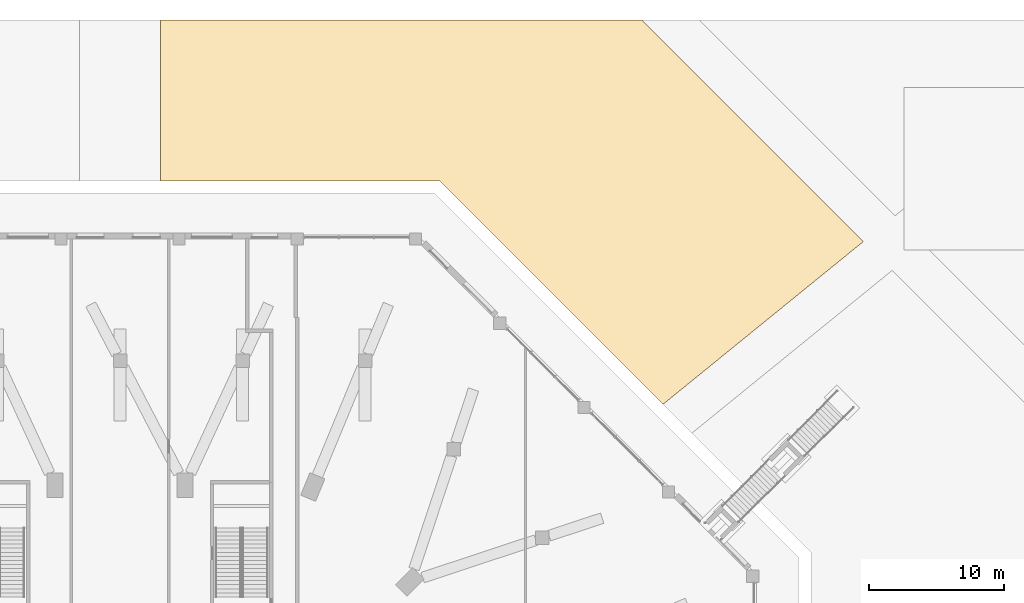
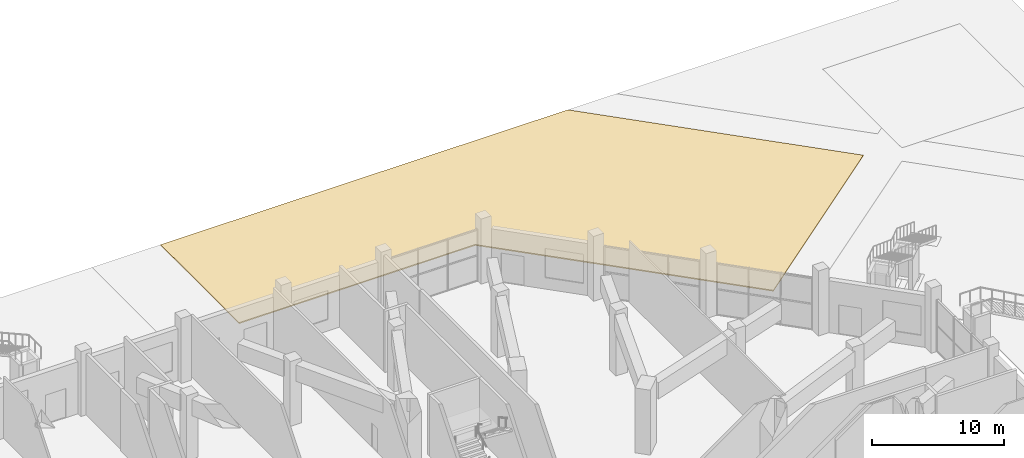
# One storey, part 35 of 36: 1 covering.
"""IFC4 building model written with IfcOpenShell, lengths in metres."""

from ifc_helpers import new_model, si_unit, direction, frame, origin, place, context, subcontext, project, spatial, polyline, outline, extrude, material, layer, layer_set, type_object, element, save


model = new_model("IFC4")

# Units and contexts
model_context = context("Model", 3, precision=1e-05, world=origin(), true_north=direction((0.0, 1.0)))
body_context = subcontext(model_context, "Body", "Model", "MODEL_VIEW")
ifc_project = project(units=[si_unit("LENGTHUNIT", "METRE"), si_unit("AREAUNIT", "SQUARE_METRE"), si_unit("VOLUMEUNIT", "CUBIC_METRE"), si_unit("PLANEANGLEUNIT", "RADIAN"), si_unit("MASSUNIT", "GRAM", prefix="KILO")], contexts=[model_context])

# Site, building, storey
site_placement = place(None, origin())
site = spatial("IfcSite", under=ifc_project, at=site_placement, CompositionType="ELEMENT")
building_placement = place(site_placement, origin())
building = spatial("IfcBuilding", under=site, at=building_placement, Name="Msitu Wima Residences", CompositionType="ELEMENT")
storey_placement = place(building_placement, origin())
storey = spatial("IfcBuildingStorey", under=building, at=storey_placement, Name="L00", CompositionType="ELEMENT", Elevation=0.0)

# Covering
ifc_material = material(Name="Lawn and planting")
ifc_layer = layer(ifc_material, 0.10009765625)
ifc_layer_set = layer_set([ifc_layer], Name="Lawn and planting")
covering_type = type_object("IfcCoveringType", Name="Garden lawn LN100", PredefinedType="USERDEFINED", material=ifc_layer_set)
covering_placement = place(storey_placement, frame((0.0, 0.0, -0.10009765625)))
element("IfcCovering", 1, at=covering_placement, inside=storey, type_object=covering_type, Name="Public garden lawn and planting", ObjectType="LAWN", PredefinedType="USERDEFINED", context=body_context, shape_type="SweptSolid", body=[
    extrude(outline(polyline([(23.636962890625, 51.10009765625), (3.0, 51.10009765625), (3.0, 63.0), (38.60693359375, 63.0), (54.99267578125, 46.6142578125), (40.16796875, 34.569091796875), (23.636962890625, 51.10009765625)])), origin(), (0.0, 0.0, 1.0), 0.10009765625),
])

save(model, "model.ifc")
